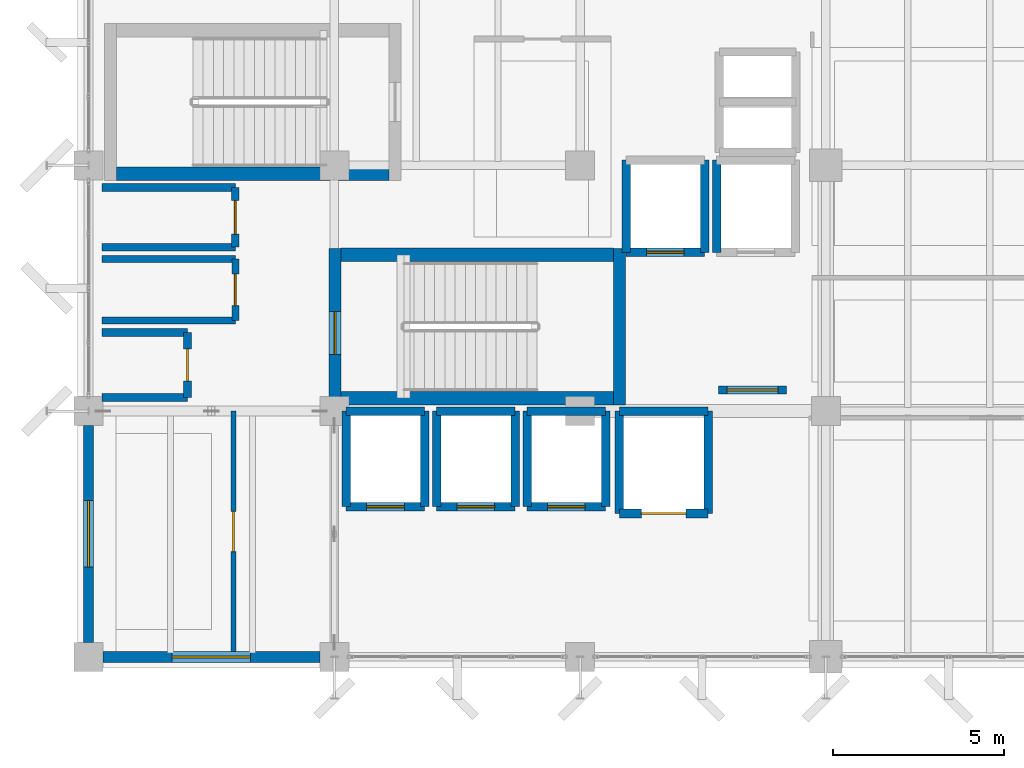
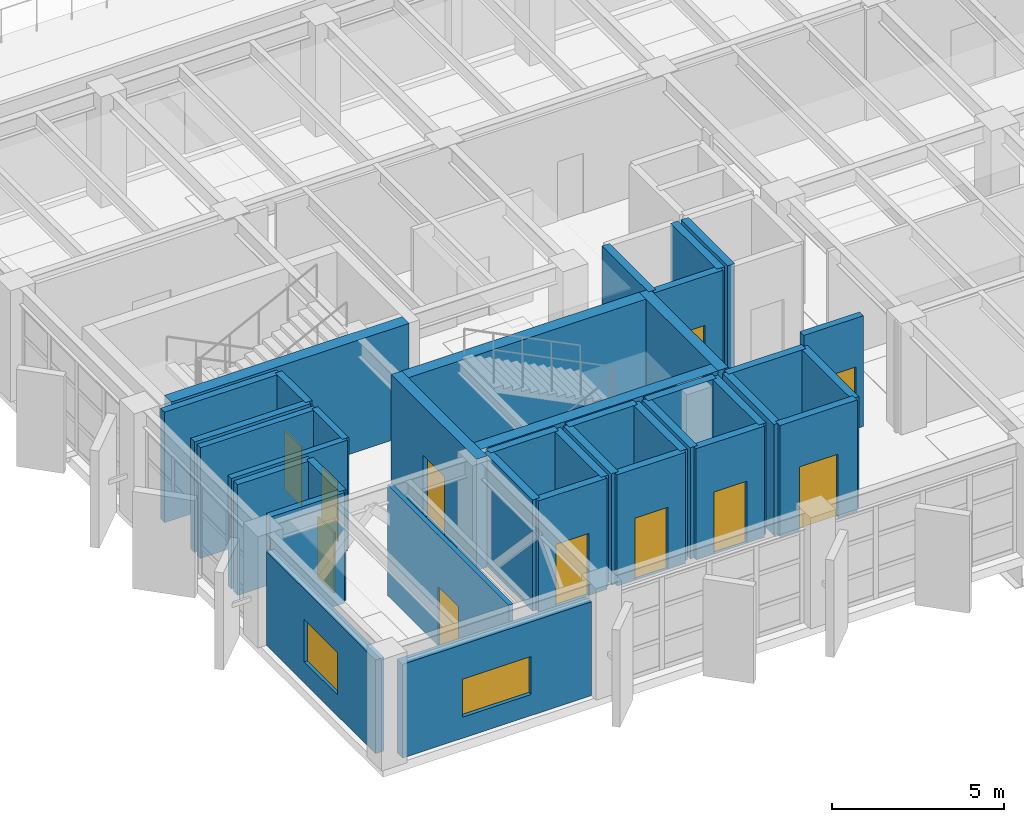
# One storey, part 40 of 59: 38 walls, 11 doors, 2 windows, 13 openings.
"""IFC4 building model written with IfcOpenShell, lengths in metres."""

from ifc_helpers import new_model, si_unit, direction, frame, frame_2d, origin, place, context, subcontext, project, spatial, rectangle, extrude, material, layer, layer_set, type_object, element, fill, save


model = new_model("IFC4")

# Units and contexts
model_context = context("Model", 3, precision=1e-05, world=origin(), true_north=direction((0.0, 1.0)))
body_context = subcontext(model_context, "Body", "Model", "MODEL_VIEW")
ifc_project = project(units=[si_unit("LENGTHUNIT", "METRE"), si_unit("AREAUNIT", "SQUARE_METRE"), si_unit("VOLUMEUNIT", "CUBIC_METRE"), si_unit("PLANEANGLEUNIT", "RADIAN"), si_unit("MASSUNIT", "GRAM", prefix="KILO")], contexts=[model_context])

# Site, building, storey
site_placement = place(None, origin())
site = spatial("IfcSite", under=ifc_project, at=site_placement, CompositionType="ELEMENT")
building_placement = place(site_placement, origin())
building = spatial("IfcBuilding", under=site, at=building_placement, Name="Kandorven Conservatory and Botanical Research Centre", CompositionType="ELEMENT")
storey_placement = place(building_placement, frame((0.0, 0.0, 4.800048828125)))
storey = spatial("IfcBuildingStorey", under=building, at=storey_placement, Name="L01", CompositionType="ELEMENT", Elevation=4.800048828125)

# Walls
ifc_material_1 = material(Name="Concrete C40/50 (M50)", Category="concrete")
ifc_layer_1 = layer(ifc_material_1, 0.39990234375)
ifc_layer_set_1 = layer_set([ifc_layer_1], Name="Concrete C40/50 (M50)")
wall_type_1 = type_object("IfcWallType", Name="Wall_CW-RC-1", PredefinedType="SHEAR", material=ifc_layer_set_1)
for number, where, z_axis, x_axis, name in (
    (1, (13.39990234375, 13.574951171875, 0.0), (0.0, 0.0, 1.0), (1.0, 0.0, 0.0), "Core stair shear wall CW-RC-1 ST-T1 L01 side A"),
    (2, (13.39990234375, 17.77490234375, 0.0), (0.0, 0.0, 1.0), (1.0, 0.0, 0.0), "Core stair shear wall CW-RC-1 ST-T1 L01 side B"),
    (3, (14.800048828125, 20.155029296875, 0.0), (0.0, 0.0, 1.0), (-1.0, 0.0, 0.0), "Core stair shear wall CW-RC-1 ST-T2 L01 side B"),
):
    element("IfcWall", number, at=place(storey_placement, frame(where, z_axis=z_axis, x_axis=x_axis)), inside=storey, type_object=wall_type_1, Name=name, PredefinedType="SHEAR", context=body_context, shape_type="SweptSolid", body=[
        extrude(rectangle(XDim=7.97998046875, YDim=0.39990234375, at=frame_2d((3.989990234375, 0.0))), origin(), (0.0, 0.0, 1.0), 3.949951171875),
    ])

# Wall, opening, door
ifc_material_2 = material(Name="Concrete C40/50 (M50)", Category="concrete")
ifc_layer_2 = layer(ifc_material_2, 0.35009765625)
ifc_layer_set_2 = layer_set([ifc_layer_2], Name="Concrete C40/50 (M50)")
wall_type_2 = type_object("IfcWallType", Name="Wall_CW-RC-2", PredefinedType="SHEAR", material=ifc_layer_set_2)
wall_1_placement = place(storey_placement, frame((13.22509765625, 13.0, 0.0), z_axis=(0.0, 0.0, 1.0), x_axis=(0.0, 1.0, 0.0)))
wall_1 = element("IfcWall", 4, at=wall_1_placement, inside=storey, type_object=wall_type_2, Name="Core stair shear wall CW-RC-2 ST-T1 L01 entry", PredefinedType="SHEAR", context=body_context, shape_type="SweptSolid", body=[
    extrude(rectangle(XDim=4.969970703125, YDim=0.35009765625, at=frame_2d((2.48486328125, 0.0))), origin(), (0.0, 0.0, 1.0), 3.949951171875),
])
opening_1_placement = place(wall_1_placement, frame((1.860107421875, 0.0, 0.0)))
opening_1 = element("IfcOpeningElement", 5, at=opening_1_placement, cuts=wall_1, Name="Opening FD-1", PredefinedType="OPENING", context=body_context, shape_type="SweptSolid", body=[
    extrude(rectangle(XDim=1.25, YDim=2.199951171875, at=frame_2d((0.625, 1.10009765625))), frame((0.0, 0.18505859375, 0.0), z_axis=(0.0, -1.0, 0.0), x_axis=(1.0, 0.0, 0.0)), (0.0, 0.0, 1.0), 0.3701171875),
])
ifc_material_3 = material(Name="Galvanised hollow steel fire door assembly", Category="steel")
door_type_1 = type_object("IfcDoorType", Name="Door_FD-1", OperationType="NOTDEFINED", PredefinedType="DOOR", material=ifc_material_3)
door_1_placement = place(opening_1_placement, origin())
door_1 = element("IfcDoor", 6, at=door_1_placement, inside=storey, type_object=door_type_1, Name="Exit stair fire door FD-1 ST-T1 L01", OperationType="SINGLE_SWING_RIGHT", OverallHeight=2.199951171875, OverallWidth=1.25, PredefinedType="DOOR", context=body_context, shape_type="SweptSolid", body=[
    extrude(rectangle(XDim=1.25, YDim=2.199951171875, at=frame_2d((0.625, 1.10009765625))), frame((0.0, 0.02490234375, 0.0), z_axis=(0.0, -1.0, 0.0), x_axis=(1.0, 0.0, 0.0)), (0.0, 0.0, 1.0), 0.050048828125),
])
fill(opening_1, door_1)

# Wall
wall_2_placement = place(storey_placement, frame((21.554931640625, 13.3798828125, 0.0), z_axis=(0.0, 0.0, 1.0), x_axis=(0.0, 1.0, 0.0)))
element("IfcWall", 7, at=wall_2_placement, inside=storey, type_object=wall_type_2, Name="Core stair shear wall CW-RC-2 ST-T1 L01 far", PredefinedType="SHEAR", context=body_context, shape_type="SweptSolid", body=[
    extrude(rectangle(XDim=4.590087890625, YDim=0.35009765625, at=frame_2d((2.294921875, 0.0))), origin(), (0.0, 0.0, 1.0), 3.949951171875),
])

# Wall, opening, door
wall_3_placement = place(storey_placement, frame((21.75, 17.85009765625, 0.0), z_axis=(0.0, 0.0, 1.0), x_axis=(1.0, 0.0, 0.0)))
wall_3 = element("IfcWall", 8, at=wall_3_placement, inside=storey, type_object=wall_type_2, Name="Lift shaft wall FFL-1 L01 S", PredefinedType="SHEAR", context=body_context, shape_type="SweptSolid", body=[
    extrude(rectangle(XDim=2.300048828125, YDim=0.25, at=frame_2d((1.14990234375, 0.0))), origin(), (0.0, 0.0, 1.0), 3.949951171875),
])
opening_2_placement = place(wall_3_placement, frame((0.60009765625, 0.0, 0.0)))
opening_2 = element("IfcOpeningElement", 9, at=opening_2_placement, cuts=wall_3, Name="Opening LD-01", PredefinedType="OPENING", context=body_context, shape_type="SweptSolid", body=[
    extrude(rectangle(XDim=1.10009765625, YDim=2.199951171875, at=frame_2d((0.550048828125, 1.10009765625))), frame((0.0, 0.135009765625, 0.0), z_axis=(0.0, -1.0, 0.0), x_axis=(1.0, 0.0, 0.0)), (0.0, 0.0, 1.0), 0.27001953125),
])
ifc_material_4 = material(Name="Anodised aluminium sliding landing door", Category="aluminium")
door_type_2 = type_object("IfcDoorType", Name="Door_LD-01", OperationType="DOUBLE_DOOR_SLIDING", PredefinedType="DOOR", material=ifc_material_4)
door_2_placement = place(opening_2_placement, origin())
door_2 = element("IfcDoor", 10, at=door_2_placement, inside=storey, type_object=door_type_2, Name="Lift landing sliding door LD-01 (FFL-1 L01)", OperationType="DOUBLE_DOOR_SLIDING", OverallHeight=2.199951171875, OverallWidth=1.10009765625, PredefinedType="DOOR", context=body_context, shape_type="SweptSolid", body=[
    extrude(rectangle(XDim=1.10009765625, YDim=2.199951171875, at=frame_2d((0.550048828125, 1.10009765625))), frame((0.0, 0.02490234375, 0.0), z_axis=(0.0, -1.0, 0.0), x_axis=(1.0, 0.0, 0.0)), (0.0, 0.0, 1.0), 0.050048828125),
])
fill(opening_2, door_2)

# Walls
for number, where, z_axis, x_axis, name in (
    (11, (21.75, 17.85009765625, 0.0), (0.0, 0.0, 1.0), (0.0, 1.0, 0.0), "Lift shaft wall FFL-1 L01 W"),
    (12, (24.050048828125, 17.85009765625, 0.0), (0.0, 0.0, 1.0), (0.0, 1.0, 0.0), "Lift shaft wall FFL-1 L01 E"),
    (13, (24.39990234375, 17.85009765625, 0.0), (0.0, 0.0, 1.0), (0.0, 1.0, 0.0), "Lift shaft wall FFL-2 L01 W"),
):
    element("IfcWall", number, at=place(storey_placement, frame(where, z_axis=z_axis, x_axis=x_axis)), inside=storey, type_object=wall_type_2, Name=name, PredefinedType="SHEAR", context=body_context, shape_type="SweptSolid", body=[
        extrude(rectangle(XDim=2.699951171875, YDim=0.25, at=frame_2d((1.35009765625, 0.0))), origin(), (0.0, 0.0, 1.0), 3.949951171875),
    ])

# Wall, opening, door
wall_4_placement = place(storey_placement, frame((13.550048828125, 10.39990234375, 0.0), z_axis=(0.0, 0.0, 1.0), x_axis=(1.0, 0.0, 0.0)))
wall_4 = element("IfcWall", 14, at=wall_4_placement, inside=storey, type_object=wall_type_2, Name="Lift shaft wall PL-1 L01 S", PredefinedType="SHEAR", context=body_context, shape_type="SweptSolid", body=[
    extrude(rectangle(XDim=2.300048828125, YDim=0.25, at=frame_2d((1.14990234375, 0.0))), origin(), (0.0, 0.0, 1.0), 3.949951171875),
])
opening_3_placement = place(wall_4_placement, frame((0.60009765625, 0.0, 0.0)))
opening_3 = element("IfcOpeningElement", 15, at=opening_3_placement, cuts=wall_4, Name="Opening LD-01", PredefinedType="OPENING", context=body_context, shape_type="SweptSolid", body=[
    extrude(rectangle(XDim=1.10009765625, YDim=2.199951171875, at=frame_2d((0.550048828125, 1.10009765625))), frame((0.0, 0.135009765625, 0.0), z_axis=(0.0, -1.0, 0.0), x_axis=(1.0, 0.0, 0.0)), (0.0, 0.0, 1.0), 0.27001953125),
])
door_3_placement = place(opening_3_placement, origin())
door_3 = element("IfcDoor", 16, at=door_3_placement, inside=storey, type_object=door_type_2, Name="Lift landing sliding door LD-01 (PL-1 L01)", OperationType="DOUBLE_DOOR_SLIDING", OverallHeight=2.199951171875, OverallWidth=1.10009765625, PredefinedType="DOOR", context=body_context, shape_type="SweptSolid", body=[
    extrude(rectangle(XDim=1.10009765625, YDim=2.199951171875, at=frame_2d((0.550048828125, 1.10009765625))), frame((0.0, 0.02490234375, 0.0), z_axis=(0.0, -1.0, 0.0), x_axis=(1.0, 0.0, 0.0)), (0.0, 0.0, 1.0), 0.050048828125),
])
fill(opening_3, door_3)

# Walls
wall_5_placement = place(storey_placement, frame((13.550048828125, 13.199951171875, 0.0), z_axis=(0.0, 0.0, 1.0), x_axis=(1.0, 0.0, 0.0)))
element("IfcWall", 17, at=wall_5_placement, inside=storey, type_object=wall_type_2, Name="Lift shaft wall PL-1 L01 N", PredefinedType="SHEAR", context=body_context, shape_type="SweptSolid", body=[
    extrude(rectangle(XDim=2.300048828125, YDim=0.25, at=frame_2d((1.14990234375, 0.0))), origin(), (0.0, 0.0, 1.0), 3.949951171875),
])
for number, where, z_axis, x_axis, name in (
    (18, (13.550048828125, 10.39990234375, 0.0), (0.0, 0.0, 1.0), (0.0, 1.0, 0.0), "Lift shaft wall PL-1 L01 W"),
    (19, (15.85009765625, 10.39990234375, 0.0), (0.0, 0.0, 1.0), (0.0, 1.0, 0.0), "Lift shaft wall PL-1 L01 E"),
):
    element("IfcWall", number, at=place(storey_placement, frame(where, z_axis=z_axis, x_axis=x_axis)), inside=storey, type_object=wall_type_2, Name=name, PredefinedType="SHEAR", context=body_context, shape_type="SweptSolid", body=[
        extrude(rectangle(XDim=2.800048828125, YDim=0.25, at=frame_2d((1.39990234375, 0.0))), origin(), (0.0, 0.0, 1.0), 3.949951171875),
    ])

# Wall, opening, door
wall_6_placement = place(storey_placement, frame((16.199951171875, 10.39990234375, 0.0), z_axis=(0.0, 0.0, 1.0), x_axis=(1.0, 0.0, 0.0)))
wall_6 = element("IfcWall", 20, at=wall_6_placement, inside=storey, type_object=wall_type_2, Name="Lift shaft wall PL-2 L01 S", PredefinedType="SHEAR", context=body_context, shape_type="SweptSolid", body=[
    extrude(rectangle(XDim=2.300048828125, YDim=0.25, at=frame_2d((1.14990234375, 0.0))), origin(), (0.0, 0.0, 1.0), 3.949951171875),
])
opening_4_placement = place(wall_6_placement, frame((0.60009765625, 0.0, 0.0)))
opening_4 = element("IfcOpeningElement", 21, at=opening_4_placement, cuts=wall_6, Name="Opening LD-01", PredefinedType="OPENING", context=body_context, shape_type="SweptSolid", body=[
    extrude(rectangle(XDim=1.10009765625, YDim=2.199951171875, at=frame_2d((0.550048828125, 1.10009765625))), frame((0.0, 0.135009765625, 0.0), z_axis=(0.0, -1.0, 0.0), x_axis=(1.0, 0.0, 0.0)), (0.0, 0.0, 1.0), 0.27001953125),
])
door_4_placement = place(opening_4_placement, origin())
door_4 = element("IfcDoor", 22, at=door_4_placement, inside=storey, type_object=door_type_2, Name="Lift landing sliding door LD-01 (PL-2 L01)", OperationType="DOUBLE_DOOR_SLIDING", OverallHeight=2.199951171875, OverallWidth=1.10009765625, PredefinedType="DOOR", context=body_context, shape_type="SweptSolid", body=[
    extrude(rectangle(XDim=1.10009765625, YDim=2.199951171875, at=frame_2d((0.550048828125, 1.10009765625))), frame((0.0, 0.02490234375, 0.0), z_axis=(0.0, -1.0, 0.0), x_axis=(1.0, 0.0, 0.0)), (0.0, 0.0, 1.0), 0.050048828125),
])
fill(opening_4, door_4)

# Walls
wall_7_placement = place(storey_placement, frame((16.199951171875, 13.199951171875, 0.0), z_axis=(0.0, 0.0, 1.0), x_axis=(1.0, 0.0, 0.0)))
element("IfcWall", 23, at=wall_7_placement, inside=storey, type_object=wall_type_2, Name="Lift shaft wall PL-2 L01 N", PredefinedType="SHEAR", context=body_context, shape_type="SweptSolid", body=[
    extrude(rectangle(XDim=2.300048828125, YDim=0.25, at=frame_2d((1.14990234375, 0.0))), origin(), (0.0, 0.0, 1.0), 3.949951171875),
])
for number, where, z_axis, x_axis, name in (
    (24, (16.199951171875, 10.39990234375, 0.0), (0.0, 0.0, 1.0), (0.0, 1.0, 0.0), "Lift shaft wall PL-2 L01 W"),
    (25, (18.5, 10.39990234375, 0.0), (0.0, 0.0, 1.0), (0.0, 1.0, 0.0), "Lift shaft wall PL-2 L01 E"),
):
    element("IfcWall", number, at=place(storey_placement, frame(where, z_axis=z_axis, x_axis=x_axis)), inside=storey, type_object=wall_type_2, Name=name, PredefinedType="SHEAR", context=body_context, shape_type="SweptSolid", body=[
        extrude(rectangle(XDim=2.800048828125, YDim=0.25, at=frame_2d((1.39990234375, 0.0))), origin(), (0.0, 0.0, 1.0), 3.949951171875),
    ])

# Wall, opening, door
wall_8_placement = place(storey_placement, frame((18.85009765625, 10.39990234375, 0.0), z_axis=(0.0, 0.0, 1.0), x_axis=(1.0, 0.0, 0.0)))
wall_8 = element("IfcWall", 26, at=wall_8_placement, inside=storey, type_object=wall_type_2, Name="Lift shaft wall PL-3 L01 S", PredefinedType="SHEAR", context=body_context, shape_type="SweptSolid", body=[
    extrude(rectangle(XDim=2.2998046875, YDim=0.25, at=frame_2d((1.14990234375, 0.0))), origin(), (0.0, 0.0, 1.0), 3.949951171875),
])
opening_5_placement = place(wall_8_placement, frame((0.60009765625, 0.0, 0.0)))
opening_5 = element("IfcOpeningElement", 27, at=opening_5_placement, cuts=wall_8, Name="Opening LD-01", PredefinedType="OPENING", context=body_context, shape_type="SweptSolid", body=[
    extrude(rectangle(XDim=1.10009765625, YDim=2.199951171875, at=frame_2d((0.550048828125, 1.10009765625))), frame((0.0, 0.135009765625, 0.0), z_axis=(0.0, -1.0, 0.0), x_axis=(1.0, 0.0, 0.0)), (0.0, 0.0, 1.0), 0.27001953125),
])
door_5_placement = place(opening_5_placement, origin())
door_5 = element("IfcDoor", 28, at=door_5_placement, inside=storey, type_object=door_type_2, Name="Lift landing sliding door LD-01 (PL-3 L01)", OperationType="DOUBLE_DOOR_SLIDING", OverallHeight=2.199951171875, OverallWidth=1.10009765625, PredefinedType="DOOR", context=body_context, shape_type="SweptSolid", body=[
    extrude(rectangle(XDim=1.10009765625, YDim=2.199951171875, at=frame_2d((0.550048828125, 1.10009765625))), frame((0.0, 0.02490234375, 0.0), z_axis=(0.0, -1.0, 0.0), x_axis=(1.0, 0.0, 0.0)), (0.0, 0.0, 1.0), 0.050048828125),
])
fill(opening_5, door_5)

# Walls
wall_9_placement = place(storey_placement, frame((18.85009765625, 13.199951171875, 0.0), z_axis=(0.0, 0.0, 1.0), x_axis=(1.0, 0.0, 0.0)))
element("IfcWall", 29, at=wall_9_placement, inside=storey, type_object=wall_type_2, Name="Lift shaft wall PL-3 L01 N", PredefinedType="SHEAR", context=body_context, shape_type="SweptSolid", body=[
    extrude(rectangle(XDim=2.2998046875, YDim=0.25, at=frame_2d((1.14990234375, 0.0))), origin(), (0.0, 0.0, 1.0), 3.949951171875),
])
for number, where, z_axis, x_axis, name in (
    (30, (18.85009765625, 10.39990234375, 0.0), (0.0, 0.0, 1.0), (0.0, 1.0, 0.0), "Lift shaft wall PL-3 L01 W"),
    (31, (21.14990234375, 10.39990234375, 0.0), (0.0, 0.0, 1.0), (0.0, 1.0, 0.0), "Lift shaft wall PL-3 L01 E"),
):
    element("IfcWall", number, at=place(storey_placement, frame(where, z_axis=z_axis, x_axis=x_axis)), inside=storey, type_object=wall_type_2, Name=name, PredefinedType="SHEAR", context=body_context, shape_type="SweptSolid", body=[
        extrude(rectangle(XDim=2.800048828125, YDim=0.25, at=frame_2d((1.39990234375, 0.0))), origin(), (0.0, 0.0, 1.0), 3.949951171875),
    ])

# Wall, opening, door
wall_10_placement = place(storey_placement, frame((21.550048828125, 10.199951171875, 0.0), z_axis=(0.0, 0.0, 1.0), x_axis=(1.0, 0.0, 0.0)))
wall_10 = element("IfcWall", 32, at=wall_10_placement, inside=storey, type_object=wall_type_2, Name="Lift shaft wall GL-1 L01 S", PredefinedType="SHEAR", context=body_context, shape_type="SweptSolid", body=[
    extrude(rectangle(XDim=2.599853515625, YDim=0.25, at=frame_2d((1.2998046875, 0.0))), origin(), (0.0, 0.0, 1.0), 3.949951171875),
])
opening_6_placement = place(wall_10_placement, frame((0.64990234375, 0.0, 0.0)))
opening_6 = element("IfcOpeningElement", 33, at=opening_6_placement, cuts=wall_10, Name="Opening LD-02", PredefinedType="OPENING", context=body_context, shape_type="SweptSolid", body=[
    extrude(rectangle(XDim=1.300048828125, YDim=2.25, at=frame_2d((0.64990234375, 1.125))), frame((0.0, 0.135009765625, 0.0), z_axis=(0.0, -1.0, 0.0), x_axis=(1.0, 0.0, 0.0)), (0.0, 0.0, 1.0), 0.27001953125),
])
ifc_material_5 = material(Name="Anodised aluminium sliding landing door", Category="aluminium")
door_type_3 = type_object("IfcDoorType", Name="Door_LD-02", OperationType="DOUBLE_DOOR_SLIDING", PredefinedType="DOOR", material=ifc_material_5)
door_6_placement = place(opening_6_placement, origin())
door_6 = element("IfcDoor", 34, at=door_6_placement, inside=storey, type_object=door_type_3, Name="Lift landing sliding door LD-02 (GL-1 L01)", OperationType="DOUBLE_DOOR_SLIDING", OverallHeight=2.25, OverallWidth=1.300048828125, PredefinedType="DOOR", context=body_context, shape_type="SweptSolid", body=[
    extrude(rectangle(XDim=1.300048828125, YDim=2.25, at=frame_2d((0.64990234375, 1.125))), frame((0.0, 0.02490234375, 0.0), z_axis=(0.0, -1.0, 0.0), x_axis=(1.0, 0.0, 0.0)), (0.0, 0.0, 1.0), 0.050048828125),
])
fill(opening_6, door_6)

# Walls
wall_11_placement = place(storey_placement, frame((21.550048828125, 13.199951171875, 0.0), z_axis=(0.0, 0.0, 1.0), x_axis=(1.0, 0.0, 0.0)))
element("IfcWall", 35, at=wall_11_placement, inside=storey, type_object=wall_type_2, Name="Lift shaft wall GL-1 L01 N", PredefinedType="SHEAR", context=body_context, shape_type="SweptSolid", body=[
    extrude(rectangle(XDim=2.599853515625, YDim=0.25, at=frame_2d((1.2998046875, 0.0))), origin(), (0.0, 0.0, 1.0), 3.949951171875),
])
for number, where, z_axis, x_axis, name in (
    (36, (21.550048828125, 10.199951171875, 0.0), (0.0, 0.0, 1.0), (0.0, 1.0, 0.0), "Lift shaft wall GL-1 L01 W"),
    (37, (24.14990234375, 10.199951171875, 0.0), (0.0, 0.0, 1.0), (0.0, 1.0, 0.0), "Lift shaft wall GL-1 L01 E"),
):
    element("IfcWall", number, at=place(storey_placement, frame(where, z_axis=z_axis, x_axis=x_axis)), inside=storey, type_object=wall_type_2, Name=name, PredefinedType="SHEAR", context=body_context, shape_type="SweptSolid", body=[
        extrude(rectangle(XDim=3.0, YDim=0.25, at=frame_2d((1.5, 0.0))), origin(), (0.0, 0.0, 1.0), 3.949951171875),
    ])

# Wall, opening, window
ifc_material_6 = material(Name="Concrete C32/40 (M40)", Category="concrete")
ifc_layer_3 = layer(ifc_material_6, 0.320068359375)
ifc_layer_set_3 = layer_set([ifc_layer_3], Name="Concrete C32/40 (M40)")
wall_type_3 = type_object("IfcWallType", Name="Wall_EW-03", PredefinedType="STANDARD", material=ifc_layer_set_3)
wall_12_placement = place(storey_placement, frame((6.425048828125, 6.0, 0.0), z_axis=(0.0, 0.0, 1.0), x_axis=(1.0, 0.0, 0.0)))
wall_12 = element("IfcWall", 38, at=wall_12_placement, inside=storey, type_object=wall_type_3, Name="Tower concrete facade wall EW-03 S L01", PredefinedType="STANDARD", context=body_context, shape_type="SweptSolid", body=[
    extrude(rectangle(XDim=6.349853515625, YDim=0.320068359375, at=frame_2d((3.1748046875, 0.0))), origin(), (0.0, 0.0, 1.0), 3.329833984375),
])
opening_7_placement = place(wall_12_placement, frame((2.02490234375, 0.0, 0.75)))
opening_7 = element("IfcOpeningElement", 39, at=opening_7_placement, cuts=wall_12, Name="Opening W-37", PredefinedType="OPENING", context=body_context, shape_type="SweptSolid", body=[
    extrude(rectangle(XDim=2.300048828125, YDim=1.35009765625, at=frame_2d((1.14990234375, 0.675048828125))), frame((0.0, 0.169921875, 0.0), z_axis=(0.0, -1.0, 0.0), x_axis=(1.0, 0.0, 0.0)), (0.0, 0.0, 1.0), 0.340087890625),
])
ifc_material_7 = material(Name="Double-glazed solar-control low-E glass", Category="glass")
window_type_1 = type_object("IfcWindowType", Name="Win_W-37", PartitioningType="DOUBLE_PANEL_VERTICAL", PredefinedType="WINDOW", material=ifc_material_7)
window_1_placement = place(opening_7_placement, origin())
window_1 = element("IfcWindow", 40, at=window_1_placement, inside=storey, type_object=window_type_1, Name="Tower recessed solar window W-37", OverallHeight=1.35009765625, OverallWidth=2.300048828125, PartitioningType="SINGLE_PANEL", PredefinedType="WINDOW", context=body_context, shape_type="SweptSolid", body=[
    extrude(rectangle(XDim=2.300048828125, YDim=1.35009765625, at=frame_2d((1.14990234375, 0.675048828125))), frame((0.0, 0.030029296875, 0.0), z_axis=(0.0, -1.0, 0.0), x_axis=(1.0, 0.0, 0.0)), (0.0, 0.0, 1.0), 0.06005859375),
])
fill(opening_7, window_1)

ifc_material_8 = material(Name="Concrete C32/40 (M40)", Category="concrete")
ifc_layer_4 = layer(ifc_material_8, 0.280029296875)
ifc_layer_set_4 = layer_set([ifc_layer_4], Name="Concrete C32/40 (M40)")
wall_type_4 = type_object("IfcWallType", Name="Wall_EW-05", PredefinedType="STANDARD", material=ifc_layer_set_4)
wall_13_placement = place(storey_placement, frame((6.0, 6.425048828125, 0.0), z_axis=(0.0, 0.0, 1.0), x_axis=(0.0, 1.0, 0.0)))
wall_13 = element("IfcWall", 41, at=wall_13_placement, inside=storey, type_object=wall_type_4, Name="Tower concrete facade wall EW-05 W L01", PredefinedType="STANDARD", context=body_context, shape_type="SweptSolid", body=[
    extrude(rectangle(XDim=6.349853515625, YDim=0.280029296875, at=frame_2d((3.1748046875, 0.0))), origin(), (0.0, 0.0, 1.0), 3.329833984375),
])
opening_8_placement = place(wall_13_placement, frame((2.199951171875, 0.0, 0.75)))
opening_8 = element("IfcOpeningElement", 42, at=opening_8_placement, cuts=wall_13, Name="Opening W-42", PredefinedType="OPENING", context=body_context, shape_type="SweptSolid", body=[
    extrude(rectangle(XDim=1.949951171875, YDim=1.5, at=frame_2d((0.97509765625, 0.75))), frame((0.0, 0.14990234375, 0.0), z_axis=(0.0, -1.0, 0.0), x_axis=(1.0, 0.0, 0.0)), (0.0, 0.0, 1.0), 0.300048828125),
])
ifc_material_9 = material(Name="Double-glazed solar-control low-E glass", Category="glass")
window_type_2 = type_object("IfcWindowType", Name="Win_W-42", PartitioningType="DOUBLE_PANEL_VERTICAL", PredefinedType="WINDOW", material=ifc_material_9)
window_2_placement = place(opening_8_placement, origin())
window_2 = element("IfcWindow", 43, at=window_2_placement, inside=storey, type_object=window_type_2, Name="Tower recessed solar window W-42", OverallHeight=1.5, OverallWidth=1.949951171875, PartitioningType="SINGLE_PANEL", PredefinedType="WINDOW", context=body_context, shape_type="SweptSolid", body=[
    extrude(rectangle(XDim=1.949951171875, YDim=1.5, at=frame_2d((0.97509765625, 0.75))), frame((0.0, 0.030029296875, 0.0), z_axis=(0.0, -1.0, 0.0), x_axis=(1.0, 0.0, 0.0)), (0.0, 0.0, 1.0), 0.06005859375),
])
fill(opening_8, window_2)

# Wall, opening, door
ifc_material_10 = material(Name="Fire-rated acoustic gypsum board partition", Category="gypsum")
ifc_layer_5 = layer(ifc_material_10, 0.14990234375)
ifc_layer_set_5 = layer_set([ifc_layer_5], Name="Fire-rated acoustic gypsum board partition")
wall_type_5 = type_object("IfcWallType", Name="Wall_IW-05", PredefinedType="PARTITIONING", material=ifc_layer_set_5)
wall_14_placement = place(storey_placement, frame((10.25, 6.14990234375, 0.0), z_axis=(0.0, 0.0, 1.0), x_axis=(0.0, 1.0, 0.0)))
wall_14 = element("IfcWall", 44, at=wall_14_placement, inside=storey, type_object=wall_type_5, Name="Interior partition wall IW-05 (Botanical Chemotaxonomy Research Laboratory L01)", PredefinedType="PARTITIONING", context=body_context, shape_type="SweptSolid", body=[
    extrude(rectangle(XDim=7.050048828125, YDim=0.14990234375, at=frame_2d((3.52490234375, 0.0))), origin(), (0.0, 0.0, 1.0), 3.929931640625),
])
opening_9_placement = place(wall_14_placement, frame((2.93505859375, 0.0, 0.0)))
opening_9 = element("IfcOpeningElement", 45, at=opening_9_placement, cuts=wall_14, Name="Opening D-14", PredefinedType="OPENING", context=body_context, shape_type="SweptSolid", body=[
    extrude(rectangle(XDim=1.179931640625, YDim=2.10009765625, at=frame_2d((0.58984375, 1.050048828125))), frame((0.0, 0.0849609375, 0.0), z_axis=(0.0, -1.0, 0.0), x_axis=(1.0, 0.0, 0.0)), (0.0, 0.0, 1.0), 0.169921875),
])
ifc_material_11 = material(Name="Solid core acoustic teak-veneered timber leaf", Category="wood")
door_type_4 = type_object("IfcDoorType", Name="Door_D-14", OperationType="NOTDEFINED", PredefinedType="DOOR", material=ifc_material_11)
door_7_placement = place(opening_9_placement, origin())
door_7 = element("IfcDoor", 46, at=door_7_placement, inside=storey, type_object=door_type_4, Name="Interior door D-14 to Botanical Chemotaxonomy Research Laboratory L01", OperationType="SINGLE_SWING_RIGHT", OverallHeight=2.10009765625, OverallWidth=1.179931640625, PredefinedType="DOOR", context=body_context, shape_type="SweptSolid", body=[
    extrude(rectangle(XDim=1.179931640625, YDim=2.10009765625, at=frame_2d((0.58984375, 1.050048828125))), frame((0.0, 0.02490234375, 0.0), z_axis=(0.0, -1.0, 0.0), x_axis=(1.0, 0.0, 0.0)), (0.0, 0.0, 1.0), 0.050048828125),
])
fill(opening_9, door_7)

ifc_material_12 = material(Name="Concrete C32/40 (M40)", Category="concrete")
ifc_layer_6 = layer(ifc_material_12, 0.22509765625)
ifc_layer_set_6 = layer_set([ifc_layer_6], Name="Concrete C32/40 (M40)")
wall_type_6 = type_object("IfcWallType", Name="Wall_IW-FR-2", PredefinedType="SOLIDWALL", material=ifc_layer_set_6)
wall_15_placement = place(storey_placement, frame((24.449951171875, 13.820068359375, 0.0), z_axis=(0.0, 0.0, 1.0), x_axis=(1.0, 0.0, 0.0)))
wall_15 = element("IfcWall", 47, at=wall_15_placement, inside=storey, type_object=wall_type_6, Name="Interior fire partition wall IW-FR-2 (Firefighting Lift Lobby L01)", PredefinedType="SOLIDWALL", context=body_context, shape_type="SweptSolid", body=[
    extrude(rectangle(XDim=2.0, YDim=0.22509765625, at=frame_2d((1.0, 0.0))), origin(), (0.0, 0.0, 1.0), 3.929931640625),
])
opening_10_placement = place(wall_15_placement, frame((0.25, 0.0, 0.0)))
opening_10 = element("IfcOpeningElement", 48, at=opening_10_placement, cuts=wall_15, Name="Opening FD-3", PredefinedType="OPENING", context=body_context, shape_type="SweptSolid", body=[
    extrude(rectangle(XDim=1.5, YDim=2.199951171875, at=frame_2d((0.75, 1.10009765625))), frame((0.0, 0.12255859375, 0.0), z_axis=(0.0, -1.0, 0.0), x_axis=(1.0, 0.0, 0.0)), (0.0, 0.0, 1.0), 0.2451171875),
])
ifc_material_13 = material(Name="Galvanised hollow steel fire door assembly", Category="steel")
door_type_5 = type_object("IfcDoorType", Name="Door_FD-3", OperationType="NOTDEFINED", PredefinedType="DOOR", material=ifc_material_13)
door_8_placement = place(opening_10_placement, frame((1.5, 0.0, 0.0), z_axis=(0.0, 0.0, 1.0), x_axis=(-1.0, 0.0, 0.0)))
door_8 = element("IfcDoor", 49, at=door_8_placement, inside=storey, type_object=door_type_5, Name="Interior door FD-3 to Firefighting Lift Lobby L01", OperationType="SINGLE_SWING_LEFT", OverallHeight=2.199951171875, OverallWidth=1.5, PredefinedType="DOOR", context=body_context, shape_type="SweptSolid", body=[
    extrude(rectangle(XDim=1.5, YDim=2.199951171875, at=frame_2d((0.75, 1.10009765625))), frame((0.0, 0.02490234375, 0.0), z_axis=(0.0, -1.0, 0.0), x_axis=(1.0, 0.0, 0.0)), (0.0, 0.0, 1.0), 0.050048828125),
])
fill(opening_10, door_8)

ifc_material_14 = material(Name="Autoclaved aerated concrete blockwork masonry", Category="masonry")
ifc_layer_7 = layer(ifc_material_14, 0.22998046875)
ifc_layer_set_7 = layer_set([ifc_layer_7], Name="Autoclaved aerated concrete blockwork masonry")
wall_type_7 = type_object("IfcWallType", Name="Wall_PW-PL-1", PredefinedType="PLUMBINGWALL", material=ifc_layer_set_7)
wall_16_placement = place(storey_placement, frame((8.89990234375, 13.60009765625, 0.0), z_axis=(0.0, 0.0, 1.0), x_axis=(0.0, 1.0, 0.0)))
wall_16 = element("IfcWall", 50, at=wall_16_placement, inside=storey, type_object=wall_type_7, Name="Interior partition wall PW-PL-1 (Accessible WC L01)", PredefinedType="PLUMBINGWALL", context=body_context, shape_type="SweptSolid", body=[
    extrude(rectangle(XDim=1.89990234375, YDim=0.22998046875, at=frame_2d((0.949951171875, 0.0))), origin(), (0.0, 0.0, 1.0), 3.929931640625),
])
opening_11_placement = place(wall_16_placement, frame((0.47509765625, 0.0, 0.0)))
opening_11 = element("IfcOpeningElement", 51, at=opening_11_placement, cuts=wall_16, Name="Opening D-01", PredefinedType="OPENING", context=body_context, shape_type="SweptSolid", body=[
    extrude(rectangle(XDim=0.949951171875, YDim=2.14990234375, at=frame_2d((0.47509765625, 1.074951171875))), frame((0.0, 0.125, 0.0), z_axis=(0.0, -1.0, 0.0), x_axis=(1.0, 0.0, 0.0)), (0.0, 0.0, 1.0), 0.25),
])
ifc_material_15 = material(Name="Solid core acoustic teak-veneered timber leaf", Category="wood")
door_type_6 = type_object("IfcDoorType", Name="Door_D-01", OperationType="NOTDEFINED", PredefinedType="DOOR", material=ifc_material_15)
door_9_placement = place(opening_11_placement, origin())
door_9 = element("IfcDoor", 52, at=door_9_placement, inside=storey, type_object=door_type_6, Name="Interior door D-01 to Accessible WC L01", OperationType="SINGLE_SWING_RIGHT", OverallHeight=2.14990234375, OverallWidth=0.949951171875, PredefinedType="DOOR", context=body_context, shape_type="SweptSolid", body=[
    extrude(rectangle(XDim=0.949951171875, YDim=2.14990234375, at=frame_2d((0.47509765625, 1.074951171875))), frame((0.0, 0.02490234375, 0.0), z_axis=(0.0, -1.0, 0.0), x_axis=(1.0, 0.0, 0.0)), (0.0, 0.0, 1.0), 0.050048828125),
])
fill(opening_11, door_9)

# Walls
for number, where, z_axis, x_axis, name in (
    (53, (6.39990234375, 13.60009765625, 0.0), (0.0, 0.0, 1.0), (1.0, 0.0, 0.0), "Sanitary enclosure wall PW-PL-1 (Accessible WC L01 S)"),
    (54, (6.39990234375, 15.5, 0.0), (0.0, 0.0, 1.0), (1.0, 0.0, 0.0), "Sanitary enclosure wall PW-PL-1 (Accessible WC L01 N)"),
):
    element("IfcWall", number, at=place(storey_placement, frame(where, z_axis=z_axis, x_axis=x_axis)), inside=storey, type_object=wall_type_7, Name=name, PredefinedType="PLUMBINGWALL", context=body_context, shape_type="SweptSolid", body=[
        extrude(rectangle(XDim=2.5, YDim=0.22998046875, at=frame_2d((1.25, 0.0))), origin(), (0.0, 0.0, 1.0), 3.929931640625),
    ])

# Wall, opening, door
wall_17_placement = place(storey_placement, frame((10.300048828125, 18.0, 0.0), z_axis=(0.0, 0.0, 1.0), x_axis=(0.0, 1.0, 0.0)))
wall_17 = element("IfcWall", 55, at=wall_17_placement, inside=storey, type_object=wall_type_7, Name="Interior partition wall PW-PL-1 (Public Male WC L01)", PredefinedType="PLUMBINGWALL", context=body_context, shape_type="SweptSolid", body=[
    extrude(rectangle(XDim=1.75, YDim=0.22998046875, at=frame_2d((0.875, 0.0))), origin(), (0.0, 0.0, 1.0), 3.929931640625),
])
opening_12_placement = place(wall_17_placement, frame((0.385009765625, 0.0, 0.0)))
opening_12 = element("IfcOpeningElement", 56, at=opening_12_placement, cuts=wall_17, Name="Opening D-12", PredefinedType="OPENING", context=body_context, shape_type="SweptSolid", body=[
    extrude(rectangle(XDim=0.97998046875, YDim=2.10009765625, at=frame_2d((0.489990234375, 1.050048828125))), frame((0.0, 0.125, 0.0), z_axis=(0.0, -1.0, 0.0), x_axis=(1.0, 0.0, 0.0)), (0.0, 0.0, 1.0), 0.25),
])
ifc_material_16 = material(Name="Solid core acoustic teak-veneered timber leaf", Category="wood")
door_type_7 = type_object("IfcDoorType", Name="Door_D-12", OperationType="NOTDEFINED", PredefinedType="DOOR", material=ifc_material_16)
door_10_placement = place(opening_12_placement, frame((0.97998046875, 0.0, 0.0), z_axis=(0.0, 0.0, 1.0), x_axis=(-1.0, 0.0, 0.0)))
door_10 = element("IfcDoor", 57, at=door_10_placement, inside=storey, type_object=door_type_7, Name="Interior door D-12 to Public Male WC L01", OperationType="SINGLE_SWING_RIGHT", OverallHeight=2.10009765625, OverallWidth=0.97998046875, PredefinedType="DOOR", context=body_context, shape_type="SweptSolid", body=[
    extrude(rectangle(XDim=0.97998046875, YDim=2.10009765625, at=frame_2d((0.489990234375, 1.050048828125))), frame((0.0, 0.02490234375, 0.0), z_axis=(0.0, -1.0, 0.0), x_axis=(1.0, 0.0, 0.0)), (0.0, 0.0, 1.0), 0.050048828125),
])
fill(opening_12, door_10)

# Walls
for number, where, z_axis, x_axis, name in (
    (58, (6.39990234375, 18.0, 0.0), (0.0, 0.0, 1.0), (1.0, 0.0, 0.0), "Sanitary enclosure wall PW-PL-1 (Public Male WC L01 S)"),
    (59, (6.39990234375, 19.75, 0.0), (0.0, 0.0, 1.0), (1.0, 0.0, 0.0), "Sanitary enclosure wall PW-PL-1 (Public Male WC L01 N)"),
):
    element("IfcWall", number, at=place(storey_placement, frame(where, z_axis=z_axis, x_axis=x_axis)), inside=storey, type_object=wall_type_7, Name=name, PredefinedType="PLUMBINGWALL", context=body_context, shape_type="SweptSolid", body=[
        extrude(rectangle(XDim=3.900146484375, YDim=0.22998046875, at=frame_2d((1.9501953125, 0.0))), origin(), (0.0, 0.0, 1.0), 3.929931640625),
    ])

# Wall, opening, door
ifc_material_17 = material(Name="Autoclaved aerated concrete blockwork masonry", Category="masonry")
ifc_layer_8 = layer(ifc_material_17, 0.205078125)
ifc_layer_set_8 = layer_set([ifc_layer_8], Name="Autoclaved aerated concrete blockwork masonry")
wall_type_8 = type_object("IfcWallType", Name="Wall_PW-PL-2", PredefinedType="PLUMBINGWALL", material=ifc_layer_set_8)
wall_18_placement = place(storey_placement, frame((10.300048828125, 15.85009765625, 0.0), z_axis=(0.0, 0.0, 1.0), x_axis=(0.0, 1.0, 0.0)))
wall_18 = element("IfcWall", 60, at=wall_18_placement, inside=storey, type_object=wall_type_8, Name="Interior partition wall PW-PL-2 (Public Female WC L01)", PredefinedType="PLUMBINGWALL", context=body_context, shape_type="SweptSolid", body=[
    extrude(rectangle(XDim=1.7998046875, YDim=0.205078125, at=frame_2d((0.89990234375, 0.0))), origin(), (0.0, 0.0, 1.0), 3.929931640625),
])
opening_13_placement = place(wall_18_placement, frame((0.43994140625, 0.0, 0.0)))
opening_13 = element("IfcOpeningElement", 61, at=opening_13_placement, cuts=wall_18, Name="Opening D-11", PredefinedType="OPENING", context=body_context, shape_type="SweptSolid", body=[
    extrude(rectangle(XDim=0.919921875, YDim=2.10009765625, at=frame_2d((0.4599609375, 1.050048828125))), frame((0.0, 0.112548828125, 0.0), z_axis=(0.0, -1.0, 0.0), x_axis=(1.0, 0.0, 0.0)), (0.0, 0.0, 1.0), 0.22509765625),
])
ifc_material_18 = material(Name="Solid core acoustic teak-veneered timber leaf", Category="wood")
door_type_8 = type_object("IfcDoorType", Name="Door_D-11", OperationType="NOTDEFINED", PredefinedType="DOOR", material=ifc_material_18)
door_11_placement = place(opening_13_placement, origin())
door_11 = element("IfcDoor", 62, at=door_11_placement, inside=storey, type_object=door_type_8, Name="Interior door D-11 to Public Female WC L01", OperationType="SINGLE_SWING_LEFT", OverallHeight=2.10009765625, OverallWidth=0.919921875, PredefinedType="DOOR", context=body_context, shape_type="SweptSolid", body=[
    extrude(rectangle(XDim=0.919921875, YDim=2.10009765625, at=frame_2d((0.4599609375, 1.050048828125))), frame((0.0, 0.02490234375, 0.0), z_axis=(0.0, -1.0, 0.0), x_axis=(1.0, 0.0, 0.0)), (0.0, 0.0, 1.0), 0.050048828125),
])
fill(opening_13, door_11)

# Walls
for number, where, z_axis, x_axis, name in (
    (63, (6.39990234375, 15.85009765625, 0.0), (0.0, 0.0, 1.0), (1.0, 0.0, 0.0), "Sanitary enclosure wall PW-PL-2 (Public Female WC L01 S)"),
    (64, (6.39990234375, 17.64990234375, 0.0), (0.0, 0.0, 1.0), (1.0, 0.0, 0.0), "Sanitary enclosure wall PW-PL-2 (Public Female WC L01 N)"),
):
    element("IfcWall", number, at=place(storey_placement, frame(where, z_axis=z_axis, x_axis=x_axis)), inside=storey, type_object=wall_type_8, Name=name, PredefinedType="PLUMBINGWALL", context=body_context, shape_type="SweptSolid", body=[
        extrude(rectangle(XDim=3.900146484375, YDim=0.205078125, at=frame_2d((1.9501953125, 0.0))), origin(), (0.0, 0.0, 1.0), 3.929931640625),
    ])

save(model, "model.ifc")
